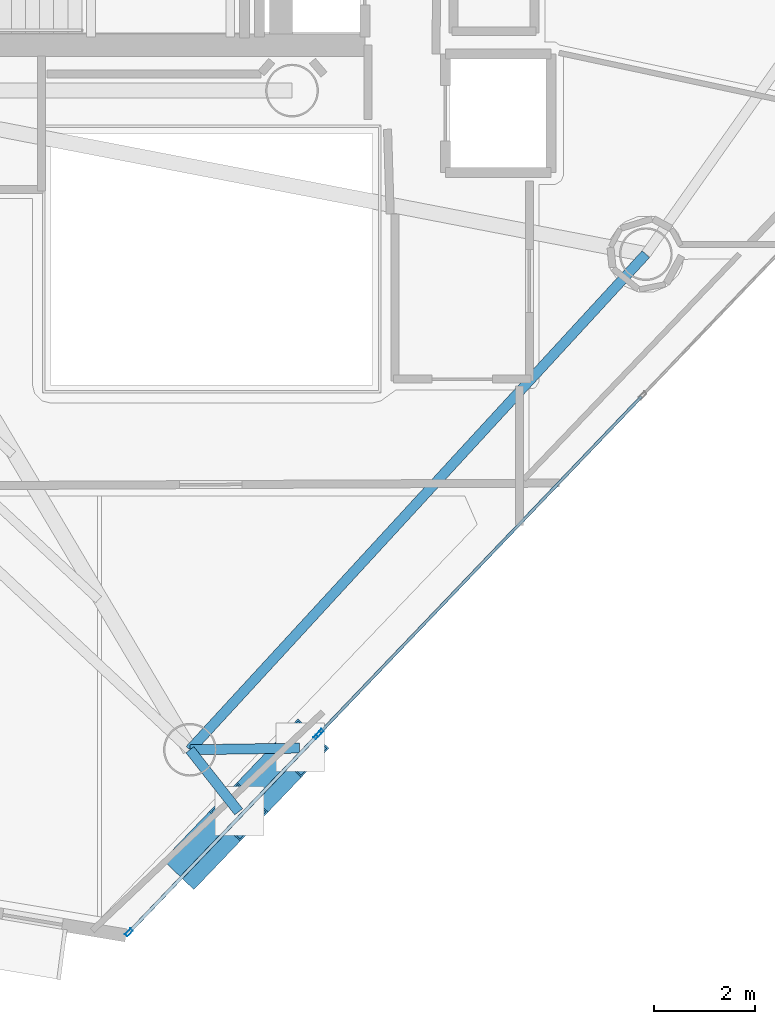
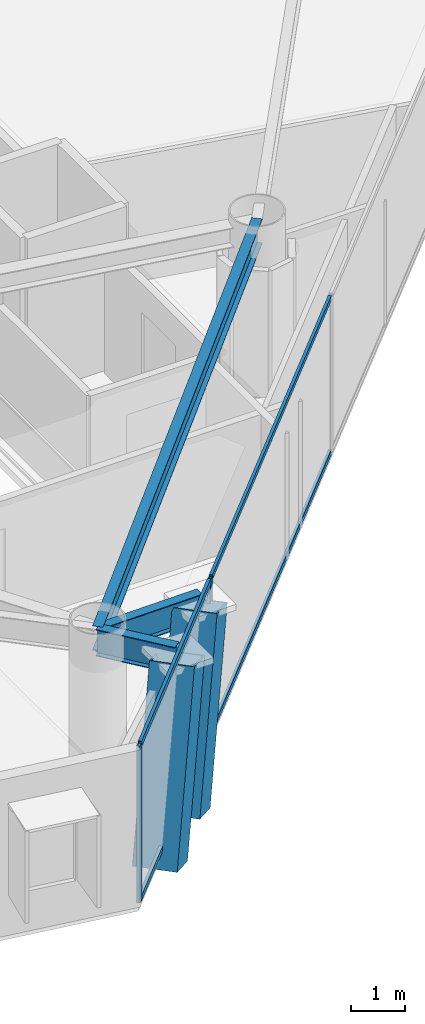
# One storey, part 4 of 21: 9 members, 3 beams, 2 elements without a shape of their own.
"""IFC4 building model written with IfcOpenShell, lengths in metres."""

from ifc_helpers import new_model, si_unit, direction, frame, origin, origin_2d, place, context, subcontext, project, spatial, hollow_rectangle, i_section, extrude, material, layer, layer_set, material_profile, profile_set, type_object, element, aggregate, save


model = new_model("IFC4")

# Units and contexts
model_context = context("Model", 3, precision=1e-05, world=origin(), true_north=direction((0.0, 1.0)))
body_context = subcontext(model_context, "Body", "Model", "MODEL_VIEW")
ifc_project = project(units=[si_unit("LENGTHUNIT", "METRE"), si_unit("AREAUNIT", "SQUARE_METRE"), si_unit("VOLUMEUNIT", "CUBIC_METRE"), si_unit("PLANEANGLEUNIT", "RADIAN"), si_unit("MASSUNIT", "GRAM", prefix="KILO")], contexts=[model_context])

# Site, building, storey
site_placement = place(None, origin())
site = spatial("IfcSite", under=ifc_project, at=site_placement, CompositionType="ELEMENT")
building_placement = place(site_placement, origin())
building = spatial("IfcBuilding", under=site, at=building_placement, Name="Qianvela Tower", CompositionType="ELEMENT")
storey_placement = place(building_placement, frame((0.0, 0.0, 242.699951171875)))
storey = spatial("IfcBuildingStorey", under=building, at=storey_placement, Name="L62", CompositionType="ELEMENT", Elevation=242.699951171875)

# Beams
ifc_material_1 = material(Name="Steel Q355B", Category="steel")
ifc_material_profile_1 = material_profile(ifc_material_1, i_section(OverallWidth=0.199951171875, OverallDepth=0.550048828125, WebThickness=0.010009765625, FlangeThickness=0.01611328125, at=origin_2d()), Name="HN550x200x10x16")
ifc_profile_set_1 = profile_set([ifc_material_profile_1], Name="Steel Q355B")
beam_type_1 = type_object("IfcBeamType", Name="BM-HN550-GIRD", PredefinedType="BEAM", material=ifc_profile_set_1)
beam_1_placement = place(storey_placement, frame((36.368896484375, 10.741943359375, 3.2431640625), z_axis=(0.677042708154, 0.735943728376, 0.0), x_axis=(-0.735943728376, 0.677042708154, 0.0)))
element("IfcBeam", 1, at=beam_1_placement, inside=storey, type_object=beam_type_1, Name="L62 Perimeter Ring Spandrel Girder 5", PredefinedType="BEAM", context=body_context, shape_type="SweptSolid", body=[
    extrude(i_section(OverallWidth=0.199951171875, OverallDepth=0.550048828125, WebThickness=0.010009765625, FlangeThickness=0.01611328125, at=origin_2d()), origin(), (0.0, 0.0, 1.0), 13.392333984375),
])
ifc_material_2 = material(Name="Steel Q355B", Category="steel")
ifc_material_profile_2 = material_profile(ifc_material_2, i_section(OverallWidth=0.199951171875, OverallDepth=0.60009765625, WebThickness=0.010986328125, FlangeThickness=0.01708984375, at=origin_2d()), Name="HN600x200x11x17")
ifc_profile_set_2 = profile_set([ifc_material_profile_2], Name="Steel Q355B")
beam_type_2 = type_object("IfcBeamType", Name="BM-HN600-GIRD", PredefinedType="BEAM", material=ifc_profile_set_2)
beam_2_placement = place(storey_placement, frame((36.368896484375, 10.741943359375, 3.218017578125), z_axis=(0.618604567456, -0.785702481301, 0.0), x_axis=(0.785702481301, 0.618604567456, 0.0)))
element("IfcBeam", 2, at=beam_2_placement, inside=storey, type_object=beam_type_2, Name="L62 Mega-Brace Column Tie Bracket F3-1", PredefinedType="BEAM", context=body_context, shape_type="SweptSolid", body=[
    extrude(i_section(OverallWidth=0.199951171875, OverallDepth=0.60009765625, WebThickness=0.010986328125, FlangeThickness=0.01708984375, at=origin_2d()), origin(), (0.0, 0.0, 1.0), 1.569091796875),
])
beam_3_placement = place(storey_placement, frame((36.368896484375, 10.741943359375, 3.218017578125), z_axis=(0.999880829205, 0.015437855721, 0.0), x_axis=(-0.015437855721, 0.999880829205, 0.0)))
element("IfcBeam", 3, at=beam_3_placement, inside=storey, type_object=beam_type_2, Name="L62 Mega-Brace Column Tie Bracket F3-2", PredefinedType="BEAM", context=body_context, shape_type="SweptSolid", body=[
    extrude(i_section(OverallWidth=0.199951171875, OverallDepth=0.60009765625, WebThickness=0.010986328125, FlangeThickness=0.01708984375, at=origin_2d()), origin(), (0.0, 0.0, 1.0), 2.182373046875),
])

# Curtain wall, members
ifc_material_3 = material(Name="Anodised Architectural Aluminium and Insulated Spandrel Panel", Category="aluminium")
ifc_layer_1 = layer(ifc_material_3, 0.179931640625)
ifc_layer_set_1 = layer_set([ifc_layer_1], Name="Anodised Architectural Aluminium and Insulated Spandrel Panel")
curtain_wall_type_1 = type_object("IfcCurtainWallType", Name="CW-BRACEBAY", PredefinedType="USERDEFINED", material=ifc_layer_set_1)
curtain_wall_1_placement = place(storey_placement, origin())
curtain_wall_1 = element("IfcCurtainWall", 4, at=curtain_wall_1_placement, inside=storey, type_object=curtain_wall_type_1, Name="L62 CW-BRACEBAY Curtain Wall 06A", ObjectType="CURTAIN_WALL_SYSTEM", PredefinedType="USERDEFINED")
ifc_material_4 = material(Name="Anodised Architectural Aluminium 6063-T6", Category="aluminium")
ifc_material_profile_3 = material_profile(ifc_material_4, hollow_rectangle(XDim=0.06494140625, YDim=0.159912109375, WallThickness=0.0048828125, at=origin_2d()), Name="ALU-MULL-65x160")
ifc_profile_set_3 = profile_set([ifc_material_profile_3], Name="Anodised Architectural Aluminium 6063-T6")
member_type_1 = type_object("IfcMemberType", Name="CW-BRACEBAY-MULL", PredefinedType="MULLION", material=ifc_profile_set_3)
member_1_placement = place(storey_placement, frame((35.1552734375, 7.109619140625, 0.0), z_axis=(0.0, 0.0, 1.0), x_axis=(-0.722642648323, 0.691221818829, 0.0)))
member_1 = element("IfcMember", 5, at=member_1_placement, type_object=member_type_1, Name="CW-9 mullion 1", PredefinedType="MULLION", context=body_context, shape_type="SweptSolid", body=[
    extrude(hollow_rectangle(XDim=0.06494140625, YDim=0.159912109375, WallThickness=0.0048828125, at=origin_2d()), origin(), (0.0, 0.0, 1.0), 3.52001953125),
])
member_2_placement = place(storey_placement, frame((38.905029296875, 11.030029296875, 0.0), z_axis=(0.0, 0.0, 1.0), x_axis=(-0.722642648323, 0.691221818829, 0.0)))
member_2 = element("IfcMember", 6, at=member_2_placement, type_object=member_type_1, Name="CW-9 mullion 2", PredefinedType="MULLION", context=body_context, shape_type="SweptSolid", body=[
    extrude(hollow_rectangle(XDim=0.06494140625, YDim=0.159912109375, WallThickness=0.0048828125, at=origin_2d()), origin(), (0.0, 0.0, 1.0), 3.52001953125),
])
ifc_material_5 = material(Name="Anodised Architectural Aluminium 6063-T6", Category="aluminium")
ifc_material_profile_4 = material_profile(ifc_material_5, hollow_rectangle(XDim=0.06494140625, YDim=0.1298828125, WallThickness=0.00439453125, at=origin_2d()), Name="ALU-TRAN-65x130")
ifc_profile_set_4 = profile_set([ifc_material_profile_4], Name="Anodised Architectural Aluminium 6063-T6")
member_type_2 = type_object("IfcMemberType", Name="CW-BRACEBAY-TRAN", PredefinedType="USERDEFINED", material=ifc_profile_set_4)
member_3_placement = place(storey_placement, frame((35.177734375, 7.133056640625, 0.032470703125), z_axis=(0.691217474951, 0.722646803302, 0.0), x_axis=(-0.722646803302, 0.691217474951, 0.0)))
member_3 = element("IfcMember", 7, at=member_3_placement, type_object=member_type_2, Name="CW-9 transom 1.1", ObjectType="TRANSOM", PredefinedType="USERDEFINED", context=body_context, shape_type="SweptSolid", body=[
    extrude(hollow_rectangle(XDim=0.06494140625, YDim=0.1298828125, WallThickness=0.00439453125, at=origin_2d()), origin(), (0.0, 0.0, 1.0), 5.35986328125),
])
member_4_placement = place(storey_placement, frame((35.177734375, 7.133056640625, 3.487548828125), z_axis=(0.691217474951, 0.722646803302, 0.0), x_axis=(-0.722646803302, 0.691217474951, 0.0)))
member_4 = element("IfcMember", 8, at=member_4_placement, type_object=member_type_2, Name="CW-9 transom 1.2", ObjectType="TRANSOM", PredefinedType="USERDEFINED", context=body_context, shape_type="SweptSolid", body=[
    extrude(hollow_rectangle(XDim=0.06494140625, YDim=0.1298828125, WallThickness=0.00439453125, at=origin_2d()), origin(), (0.0, 0.0, 1.0), 5.35986328125),
])
aggregate(curtain_wall_1, [member_1, member_2, member_3, member_4])

ifc_material_6 = material(Name="Anodised Architectural Aluminium and Low-E Glass", Category="aluminium")
ifc_layer_2 = layer(ifc_material_6, 0.159912109375)
ifc_layer_set_2 = layer_set([ifc_layer_2], Name="Anodised Architectural Aluminium and Low-E Glass")
curtain_wall_type_2 = type_object("IfcCurtainWallType", Name="CW-COLIV-Z56", PredefinedType="USERDEFINED", material=ifc_layer_set_2)
curtain_wall_2_placement = place(storey_placement, origin())
curtain_wall_2 = element("IfcCurtainWall", 9, at=curtain_wall_2_placement, inside=storey, type_object=curtain_wall_type_2, Name="L62 CW-COLIV-Z56 Curtain Wall 06B", ObjectType="CURTAIN_WALL_SYSTEM", PredefinedType="USERDEFINED")
ifc_material_7 = material(Name="Anodised Architectural Aluminium 6063-T6", Category="aluminium")
ifc_material_profile_5 = material_profile(ifc_material_7, hollow_rectangle(XDim=0.06494140625, YDim=0.159912109375, WallThickness=0.0048828125, at=origin_2d()), Name="ALU-MULL-65x160")
ifc_profile_set_5 = profile_set([ifc_material_profile_5], Name="Anodised Architectural Aluminium 6063-T6")
member_type_3 = type_object("IfcMemberType", Name="CW-COLIV-Z56-MULL", PredefinedType="MULLION", material=ifc_profile_set_5)
member_5_placement = place(storey_placement, frame((38.949951171875, 11.076904296875, 0.0), z_axis=(0.0, 0.0, 1.0), x_axis=(-0.722644420766, 0.691219965811, 0.0)))
member_5 = element("IfcMember", 10, at=member_5_placement, type_object=member_type_3, Name="CW-5 mullion 1", PredefinedType="MULLION", context=body_context, shape_type="SweptSolid", body=[
    extrude(hollow_rectangle(XDim=0.06494140625, YDim=0.159912109375, WallThickness=0.0048828125, at=origin_2d()), origin(), (0.0, 0.0, 1.0), 3.52001953125),
])
ifc_material_8 = material(Name="Anodised Architectural Aluminium 6063-T6", Category="aluminium")
ifc_material_profile_6 = material_profile(ifc_material_8, hollow_rectangle(XDim=0.06005859375, YDim=0.114990234375, WallThickness=0.00390625, at=origin_2d()), Name="ALU-TRAN-60x115")
ifc_profile_set_6 = profile_set([ifc_material_profile_6], Name="Anodised Architectural Aluminium 6063-T6")
member_type_4 = type_object("IfcMemberType", Name="CW-COLIV-Z56-TRAN", PredefinedType="USERDEFINED", material=ifc_profile_set_6)
member_6_placement = place(storey_placement, frame((38.972412109375, 11.100341796875, 0.030029296875), z_axis=(0.691232263995, 0.722632657173, 0.0), x_axis=(-0.722632657173, 0.691232263995, 0.0)))
member_6 = element("IfcMember", 11, at=member_6_placement, type_object=member_type_4, Name="CW-5 transom 1.1", ObjectType="TRANSOM", PredefinedType="USERDEFINED", context=body_context, shape_type="SweptSolid", body=[
    extrude(hollow_rectangle(XDim=0.06005859375, YDim=0.114990234375, WallThickness=0.00390625, at=origin_2d()), origin(), (0.0, 0.0, 1.0), 9.22119140625),
])
member_7_placement = place(storey_placement, frame((38.972412109375, 11.100341796875, 3.489990234375), z_axis=(0.691232263995, 0.722632657173, 0.0), x_axis=(-0.722632657173, 0.691232263995, 0.0)))
member_7 = element("IfcMember", 12, at=member_7_placement, type_object=member_type_4, Name="CW-5 transom 1.2", ObjectType="TRANSOM", PredefinedType="USERDEFINED", context=body_context, shape_type="SweptSolid", body=[
    extrude(hollow_rectangle(XDim=0.06005859375, YDim=0.114990234375, WallThickness=0.00390625, at=origin_2d()), origin(), (0.0, 0.0, 1.0), 9.22119140625),
])
aggregate(curtain_wall_2, [member_5, member_6, member_7])

# Members
ifc_material_9 = material(Name="Steel Q420GJC", Category="steel")
ifc_material_profile_7 = material_profile(ifc_material_9, hollow_rectangle(XDim=0.85009765625, YDim=0.85009765625, WallThickness=0.031982421875, at=origin_2d()), Name="MBOX-850x850x32")
ifc_profile_set_7 = profile_set([ifc_material_profile_7], Name="Steel Q420GJC")
member_type_5 = type_object("IfcMemberType", Name="MBR-MBRACE-850", PredefinedType="BRACE", material=ifc_profile_set_7)
member_8_placement = place(storey_placement, frame((36.416259765625, 8.543701171875, -0.48193359375), z_axis=(0.23472504082, 0.245400003015, 0.94057588409), x_axis=(-0.722649795527, 0.691214346657, 0.0)))
element("IfcMember", 13, at=member_8_placement, inside=storey, type_object=member_type_5, Name="L62 Tier 10 Exterior Mega-Brace F3A", PredefinedType="BRACE", context=body_context, shape_type="SweptSolid", body=[
    extrude(hollow_rectangle(XDim=0.85009765625, YDim=0.85009765625, WallThickness=0.031982421875, at=origin_2d()), origin(), (0.0, 0.0, 1.0), 3.93359375),
])
member_9_placement = place(storey_placement, frame((37.627685546875, 9.81005859375, -0.48193359375), z_axis=(0.234721465484, 0.245458327866, 0.940561557221), x_axis=(-0.722737098829, 0.691123061383, 0.0)))
element("IfcMember", 14, at=member_9_placement, inside=storey, type_object=member_type_5, Name="L62 Tier 10 Exterior Mega-Brace F3B", PredefinedType="BRACE", context=body_context, shape_type="SweptSolid", body=[
    extrude(hollow_rectangle(XDim=0.85009765625, YDim=0.85009765625, WallThickness=0.031982421875, at=origin_2d()), origin(), (0.0, 0.0, 1.0), 3.933837890625),
])

save(model, "model.ifc")
